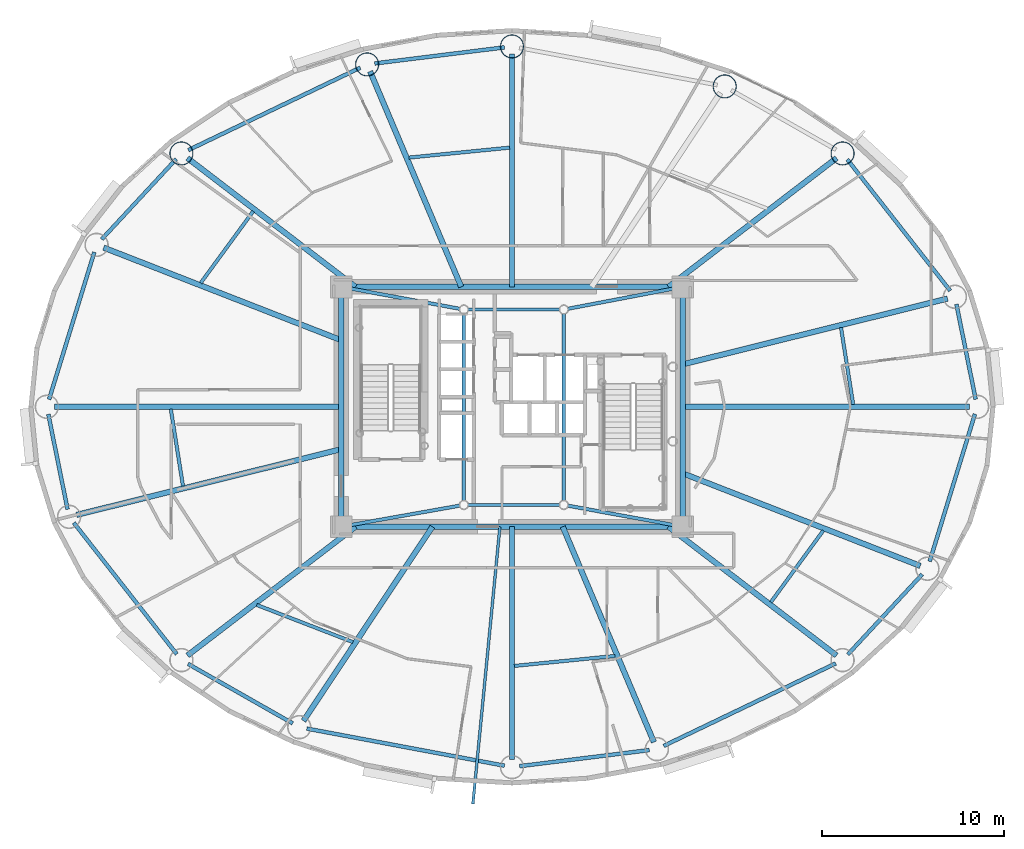
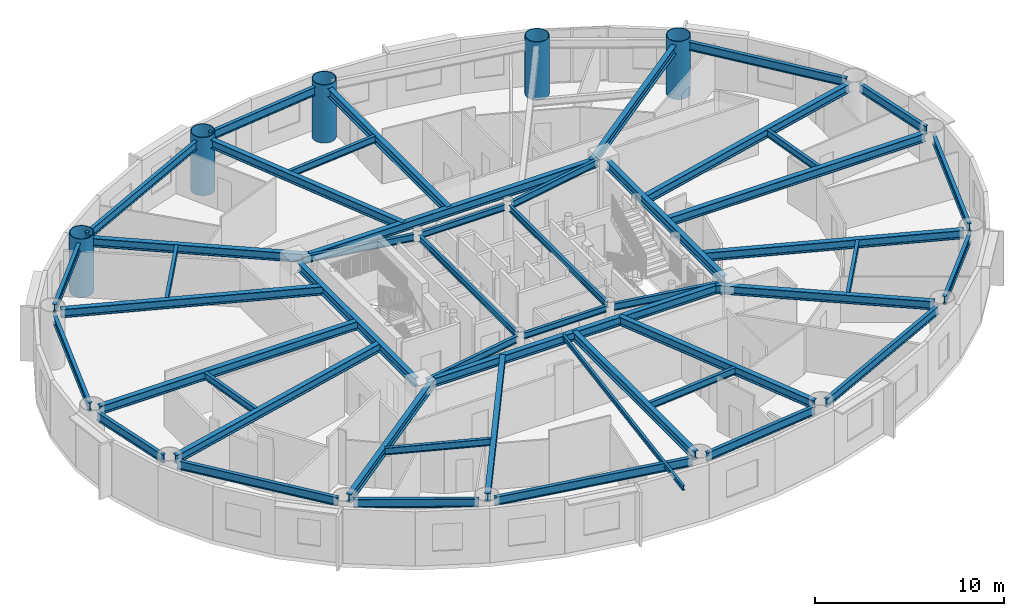
# One storey, part 3 of 17: 49 beams, 5 columns.
"""IFC4 building model written with IfcOpenShell, lengths in metres."""

from ifc_helpers import new_model, si_unit, direction, frame, origin, origin_2d, place, context, subcontext, project, spatial, hollow_circle, i_section, extrude, material, material_profile, profile_set, type_object, element, save


model = new_model("IFC4")

# Units and contexts
model_context = context("Model", 3, precision=1e-05, world=origin(), true_north=direction((0.0, 1.0)))
body_context = subcontext(model_context, "Body", "Model", "MODEL_VIEW")
ifc_project = project(units=[si_unit("LENGTHUNIT", "METRE"), si_unit("AREAUNIT", "SQUARE_METRE"), si_unit("VOLUMEUNIT", "CUBIC_METRE"), si_unit("PLANEANGLEUNIT", "RADIAN"), si_unit("MASSUNIT", "GRAM", prefix="KILO")], contexts=[model_context])

# Site, building, storey
site_placement = place(None, origin())
site = spatial("IfcSite", under=ifc_project, at=site_placement, CompositionType="ELEMENT")
building_placement = place(site_placement, origin())
building = spatial("IfcBuilding", under=site, at=building_placement, Name="Linh Dai School and Residence Tower", CompositionType="ELEMENT")
storey_placement = place(building_placement, frame((0.0, 0.0, 197.39990234375)))
storey = spatial("IfcBuildingStorey", under=building, at=storey_placement, Name="L48", CompositionType="ELEMENT", Elevation=197.39990234375)

# Columns
ifc_material = material(Name="Structural Steel S355JR", Category="steel")
ifc_material_profile_1 = material_profile(ifc_material, hollow_circle(Radius=0.64990234375, WallThickness=0.0400390625, at=origin_2d()), Name="CHS 1300x40")
ifc_profile_set_1 = profile_set([ifc_material_profile_1], Name="Structural Steel S355JR")
column_type = type_object("IfcColumnType", Name="COL-MC4", PredefinedType="COLUMN", material=ifc_profile_set_1)
for number, where, z_axis, x_axis, name in (
    (1, (54.1923828125, 40.941650390625, 0.0), (0.0, 0.0, 1.0), (1.0, 0.0, 0.0), "L48 Perimeter CFT Mega-Column MC03"),
    (2, (47.70556640625, 44.630859375, 0.0), (0.0, 0.0, 1.0), (1.0, 0.0, 0.0), "L48 Perimeter CFT Mega-Column MC04"),
    (3, (36.0, 46.830078125, 0.0), (0.0, 0.0, 1.0), (1.0, 0.0, 0.0), "L48 Perimeter CFT Mega-Column MC05"),
    (4, (28.026611328125, 45.84130859375, 0.0), (0.0, 0.0, 1.0), (1.0, 0.0, 0.0), "L48 Perimeter CFT Mega-Column MC06"),
    (5, (17.8076171875, 40.941650390625, 0.0), (0.0, 0.0, 1.0), (1.0, 0.0, 0.0), "L48 Perimeter CFT Mega-Column MC07"),
):
    element("IfcColumn", number, at=place(storey_placement, frame(where, z_axis=z_axis, x_axis=x_axis)), inside=storey, type_object=column_type, Name=name, PredefinedType="COLUMN", context=body_context, shape_type="SweptSolid", body=[
        extrude(hollow_circle(Radius=0.64990234375, WallThickness=0.0400390625, at=origin_2d()), origin(), (0.0, 0.0, 1.0), 3.75),
    ])

# Beams
ifc_material_profile_2 = material_profile(ifc_material, i_section(OverallWidth=0.14990234375, OverallDepth=0.300048828125, WebThickness=0.007080078125, FlangeThickness=0.0107421875, at=origin_2d()), Name="IPE 300")
ifc_profile_set_2 = profile_set([ifc_material_profile_2], Name="Structural Steel S355JR")
beam_type_1 = type_object("IfcBeamType", Name="BM-BALC-CANT", PredefinedType="BEAM", material=ifc_profile_set_2)
beam_1_placement = place(storey_placement, frame((35.335205078125, 20.39990234375, 3.35009765625), z_axis=(-0.096990319244, -0.995285324906, 0.0), x_axis=(0.995285324906, -0.096990319244, 0.0)))
element("IfcBeam", 6, at=beam_1_placement, inside=storey, type_object=beam_type_1, Name="L49 Balcony Continuous Cantilever Beam 30", PredefinedType="BEAM", context=body_context, shape_type="SweptSolid", body=[
    extrude(i_section(OverallWidth=0.14990234375, OverallDepth=0.300048828125, WebThickness=0.007080078125, FlangeThickness=0.0107421875, at=origin_2d()), origin(), (0.0, 0.0, 1.0), 15.33203125),
])
ifc_material_profile_3 = material_profile(ifc_material, i_section(OverallWidth=0.2099609375, OverallDepth=0.550048828125, WebThickness=0.010986328125, FlangeThickness=0.01708984375, FilletRadius=0.02392578125, at=origin_2d()), Name="IPE 550")
ifc_profile_set_3 = profile_set([ifc_material_profile_3], Name="Structural Steel S355JR")
beam_type_2 = type_object("IfcBeamType", Name="BM-RB55", PredefinedType="BEAM", material=ifc_profile_set_3)
beam_2_placement = place(storey_placement, frame((61.5166015625, 27.41162109375, 3.22509765625), z_axis=(-0.198420723955, 0.980116940117, 0.0), x_axis=(-0.980116940117, -0.198420723955, 0.0)))
element("IfcBeam", 7, at=beam_2_placement, inside=storey, type_object=beam_type_2, Name="L48 Perimeter Elliptical Ring Beam 01", PredefinedType="BEAM", context=body_context, shape_type="SweptSolid", body=[
    extrude(i_section(OverallWidth=0.2099609375, OverallDepth=0.550048828125, WebThickness=0.010986328125, FlangeThickness=0.01708984375, FilletRadius=0.02392578125, at=origin_2d()), origin(), (0.0, 0.0, 1.0), 5.33642578125),
])
beam_3_placement = place(storey_placement, frame((60.115478515625, 33.38427734375, 3.22509765625), z_axis=(-0.616852281883, 0.787078942887, 0.0), x_axis=(-0.787078942887, -0.616852281883, 0.0)))
element("IfcBeam", 8, at=beam_3_placement, inside=storey, type_object=beam_type_2, Name="L48 Perimeter Elliptical Ring Beam 02", PredefinedType="BEAM", context=body_context, shape_type="SweptSolid", body=[
    extrude(i_section(OverallWidth=0.2099609375, OverallDepth=0.550048828125, WebThickness=0.010986328125, FlangeThickness=0.01708984375, FilletRadius=0.02392578125, at=origin_2d()), origin(), (0.0, 0.0, 1.0), 9.181884765625),
])
beam_4_placement = place(storey_placement, frame((35.583251953125, 46.7783203125, 3.22509765625), z_axis=(-0.992400597975, -0.123048986741, 0.0), x_axis=(0.123048986741, -0.992400597975, 0.0)))
element("IfcBeam", 9, at=beam_4_placement, inside=storey, type_object=beam_type_2, Name="L48 Perimeter Elliptical Ring Beam 05", PredefinedType="BEAM", context=body_context, shape_type="SweptSolid", body=[
    extrude(i_section(OverallWidth=0.2099609375, OverallDepth=0.550048828125, WebThickness=0.010986328125, FlangeThickness=0.01708984375, FilletRadius=0.02392578125, at=origin_2d()), origin(), (0.0, 0.0, 1.0), 7.1943359375),
])
beam_5_placement = place(storey_placement, frame((27.64794921875, 45.659912109375, 3.22509765625), z_axis=(-0.901708141823, -0.432345263614, 0.0), x_axis=(0.432345263614, -0.901708141823, 0.0)))
element("IfcBeam", 10, at=beam_5_placement, inside=storey, type_object=beam_type_2, Name="L48 Perimeter Elliptical Ring Beam 06", PredefinedType="BEAM", context=body_context, shape_type="SweptSolid", body=[
    extrude(i_section(OverallWidth=0.2099609375, OverallDepth=0.550048828125, WebThickness=0.010986328125, FlangeThickness=0.01708984375, FilletRadius=0.02392578125, at=origin_2d()), origin(), (0.0, 0.0, 1.0), 10.4931640625),
])
beam_6_placement = place(storey_placement, frame((17.521728515625, 40.6337890625, 3.22509765625), z_axis=(-0.680378035197, -0.732861330145, 0.0), x_axis=(0.732861330145, -0.680378035197, 0.0)))
element("IfcBeam", 11, at=beam_6_placement, inside=storey, type_object=beam_type_2, Name="L48 Perimeter Elliptical Ring Beam 07", PredefinedType="BEAM", context=body_context, shape_type="SweptSolid", body=[
    extrude(i_section(OverallWidth=0.2099609375, OverallDepth=0.550048828125, WebThickness=0.010986328125, FlangeThickness=0.01708984375, FilletRadius=0.02392578125, at=origin_2d()), origin(), (0.0, 0.0, 1.0), 6.024169921875),
])
beam_7_placement = place(storey_placement, frame((13.01416015625, 35.509765625, 3.22509765625), z_axis=(-0.29363681283, -0.955917058196, 0.0), x_axis=(0.955917058196, -0.29363681283, 0.0)))
element("IfcBeam", 12, at=beam_7_placement, inside=storey, type_object=beam_type_2, Name="L48 Perimeter Elliptical Ring Beam 08", PredefinedType="BEAM", context=body_context, shape_type="SweptSolid", body=[
    extrude(i_section(OverallWidth=0.2099609375, OverallDepth=0.550048828125, WebThickness=0.010986328125, FlangeThickness=0.01708984375, FilletRadius=0.02392578125, at=origin_2d()), origin(), (0.0, 0.0, 1.0), 8.482421875),
])
beam_8_placement = place(storey_placement, frame((10.4833984375, 26.58837890625, 3.22509765625), z_axis=(0.198420723955, -0.980116940117, 0.0), x_axis=(0.980116940117, 0.198420723955, 0.0)))
element("IfcBeam", 13, at=beam_8_placement, inside=storey, type_object=beam_type_2, Name="L48 Perimeter Elliptical Ring Beam 09", PredefinedType="BEAM", context=body_context, shape_type="SweptSolid", body=[
    extrude(i_section(OverallWidth=0.2099609375, OverallDepth=0.550048828125, WebThickness=0.010986328125, FlangeThickness=0.01708984375, FilletRadius=0.02392578125, at=origin_2d()), origin(), (0.0, 0.0, 1.0), 5.33642578125),
])
beam_9_placement = place(storey_placement, frame((11.884521484375, 20.61572265625, 3.22509765625), z_axis=(0.616852281883, -0.787078942887, 0.0), x_axis=(0.787078942887, 0.616852281883, 0.0)))
element("IfcBeam", 14, at=beam_9_placement, inside=storey, type_object=beam_type_2, Name="L48 Perimeter Elliptical Ring Beam 10", PredefinedType="BEAM", context=body_context, shape_type="SweptSolid", body=[
    extrude(i_section(OverallWidth=0.2099609375, OverallDepth=0.550048828125, WebThickness=0.010986328125, FlangeThickness=0.01708984375, FilletRadius=0.02392578125, at=origin_2d()), origin(), (0.0, 0.0, 1.0), 9.181884765625),
])
beam_10_placement = place(storey_placement, frame((18.172607421875, 12.8505859375, 3.22509765625), z_axis=(0.869262164011, -0.49435138335, 0.0), x_axis=(0.49435138335, 0.869262164011, 0.0)))
element("IfcBeam", 15, at=beam_10_placement, inside=storey, type_object=beam_type_2, Name="L48 Perimeter Elliptical Ring Beam 11", PredefinedType="BEAM", context=body_context, shape_type="SweptSolid", body=[
    extrude(i_section(OverallWidth=0.2099609375, OverallDepth=0.550048828125, WebThickness=0.010986328125, FlangeThickness=0.01708984375, FilletRadius=0.02392578125, at=origin_2d()), origin(), (0.0, 0.0, 1.0), 6.62255859375),
])
beam_11_placement = place(storey_placement, frame((24.707275390625, 9.29150390625, 3.22509765625), z_axis=(0.98280721278, -0.184634727255, 0.0), x_axis=(0.184634727255, 0.98280721278, 0.0)))
element("IfcBeam", 16, at=beam_11_placement, inside=storey, type_object=beam_type_2, Name="L48 Perimeter Elliptical Ring Beam 12", PredefinedType="BEAM", context=body_context, shape_type="SweptSolid", body=[
    extrude(i_section(OverallWidth=0.2099609375, OverallDepth=0.550048828125, WebThickness=0.010986328125, FlangeThickness=0.01708984375, FilletRadius=0.02392578125, at=origin_2d()), origin(), (0.0, 0.0, 1.0), 11.0703125),
])
beam_12_placement = place(storey_placement, frame((36.416748046875, 7.2216796875, 3.22509765625), z_axis=(0.992400597975, 0.123048986741, 0.0), x_axis=(-0.123048986741, 0.992400597975, 0.0)))
element("IfcBeam", 17, at=beam_12_placement, inside=storey, type_object=beam_type_2, Name="L48 Perimeter Elliptical Ring Beam 13", PredefinedType="BEAM", context=body_context, shape_type="SweptSolid", body=[
    extrude(i_section(OverallWidth=0.2099609375, OverallDepth=0.550048828125, WebThickness=0.010986328125, FlangeThickness=0.01708984375, FilletRadius=0.02392578125, at=origin_2d()), origin(), (0.0, 0.0, 1.0), 7.1943359375),
])
beam_13_placement = place(storey_placement, frame((44.35205078125, 8.340087890625, 3.22509765625), z_axis=(0.901708141823, 0.432345263614, 0.0), x_axis=(-0.432345263614, 0.901708141823, 0.0)))
element("IfcBeam", 18, at=beam_13_placement, inside=storey, type_object=beam_type_2, Name="L48 Perimeter Elliptical Ring Beam 14", PredefinedType="BEAM", context=body_context, shape_type="SweptSolid", body=[
    extrude(i_section(OverallWidth=0.2099609375, OverallDepth=0.550048828125, WebThickness=0.010986328125, FlangeThickness=0.01708984375, FilletRadius=0.02392578125, at=origin_2d()), origin(), (0.0, 0.0, 1.0), 10.4931640625),
])
beam_14_placement = place(storey_placement, frame((54.478271484375, 13.3662109375, 3.22509765625), z_axis=(0.680378035197, 0.732861330145, 0.0), x_axis=(-0.732861330145, 0.680378035197, 0.0)))
element("IfcBeam", 19, at=beam_14_placement, inside=storey, type_object=beam_type_2, Name="L48 Perimeter Elliptical Ring Beam 15", PredefinedType="BEAM", context=body_context, shape_type="SweptSolid", body=[
    extrude(i_section(OverallWidth=0.2099609375, OverallDepth=0.550048828125, WebThickness=0.010986328125, FlangeThickness=0.01708984375, FilletRadius=0.02392578125, at=origin_2d()), origin(), (0.0, 0.0, 1.0), 6.024169921875),
])
beam_15_placement = place(storey_placement, frame((58.98583984375, 18.490234375, 3.22509765625), z_axis=(0.29363681283, 0.955917058196, 0.0), x_axis=(-0.955917058196, 0.29363681283, 0.0)))
element("IfcBeam", 20, at=beam_15_placement, inside=storey, type_object=beam_type_2, Name="L48 Perimeter Elliptical Ring Beam 16", PredefinedType="BEAM", context=body_context, shape_type="SweptSolid", body=[
    extrude(i_section(OverallWidth=0.2099609375, OverallDepth=0.550048828125, WebThickness=0.010986328125, FlangeThickness=0.01708984375, FilletRadius=0.02392578125, at=origin_2d()), origin(), (0.0, 0.0, 1.0), 8.482421875),
])
ifc_material_profile_4 = material_profile(ifc_material, i_section(OverallWidth=0.300048828125, OverallDepth=0.550048828125, WebThickness=0.014892578125, FlangeThickness=0.029052734375, FilletRadius=0.027099609375, at=origin_2d()), Name="HEB 550")
ifc_profile_set_4 = profile_set([ifc_material_profile_4], Name="Structural Steel S355JR")
beam_type_3 = type_object("IfcBeamType", Name="BM-RG55", PredefinedType="BEAM", material=ifc_profile_set_4)
beam_16_placement = place(storey_placement, frame((27.02001953125, 20.39990234375, 3.22509765625), z_axis=(1.0, 0.0, 0.0), x_axis=(0.0, 1.0, 0.0)))
element("IfcBeam", 21, at=beam_16_placement, inside=storey, type_object=beam_type_3, Name="L48 Core Perimeter Coupling Girder 1", PredefinedType="BEAM", context=body_context, shape_type="SweptSolid", body=[
    extrude(i_section(OverallWidth=0.300048828125, OverallDepth=0.550048828125, WebThickness=0.014892578125, FlangeThickness=0.029052734375, FilletRadius=0.027099609375, at=origin_2d()), origin(), (0.0, 0.0, 1.0), 17.9599609375),
])
beam_17_placement = place(storey_placement, frame((45.39990234375, 20.820068359375, 3.22509765625), z_axis=(0.0, 1.0, 0.0), x_axis=(-1.0, 0.0, 0.0)))
element("IfcBeam", 22, at=beam_17_placement, inside=storey, type_object=beam_type_3, Name="L48 Core Perimeter Coupling Girder 2", PredefinedType="BEAM", context=body_context, shape_type="SweptSolid", body=[
    extrude(i_section(OverallWidth=0.300048828125, OverallDepth=0.550048828125, WebThickness=0.014892578125, FlangeThickness=0.029052734375, FilletRadius=0.027099609375, at=origin_2d()), origin(), (0.0, 0.0, 1.0), 12.35986328125),
])
beam_18_placement = place(storey_placement, frame((44.97998046875, 33.60009765625, 3.22509765625), z_axis=(-1.0, 0.0, 0.0), x_axis=(0.0, -1.0, 0.0)))
element("IfcBeam", 23, at=beam_18_placement, inside=storey, type_object=beam_type_3, Name="L48 Core Perimeter Coupling Girder 3", PredefinedType="BEAM", context=body_context, shape_type="SweptSolid", body=[
    extrude(i_section(OverallWidth=0.300048828125, OverallDepth=0.550048828125, WebThickness=0.014892578125, FlangeThickness=0.029052734375, FilletRadius=0.027099609375, at=origin_2d()), origin(), (0.0, 0.0, 1.0), 17.9599609375),
])
beam_19_placement = place(storey_placement, frame((26.60009765625, 33.179931640625, 3.22509765625), z_axis=(0.0, -1.0, 0.0), x_axis=(1.0, 0.0, 0.0)))
element("IfcBeam", 24, at=beam_19_placement, inside=storey, type_object=beam_type_3, Name="L48 Core Perimeter Coupling Girder 4", PredefinedType="BEAM", context=body_context, shape_type="SweptSolid", body=[
    extrude(i_section(OverallWidth=0.300048828125, OverallDepth=0.550048828125, WebThickness=0.014892578125, FlangeThickness=0.029052734375, FilletRadius=0.027099609375, at=origin_2d()), origin(), (0.0, 0.0, 1.0), 12.35986328125),
])
beam_20_placement = place(storey_placement, frame((45.39990234375, 27.0, 3.22509765625), z_axis=(1.0, 0.0, 0.0), x_axis=(0.0, 1.0, 0.0)))
element("IfcBeam", 25, at=beam_20_placement, inside=storey, type_object=beam_type_3, Name="L48 Primary Radial Floor Girder 01", PredefinedType="BEAM", context=body_context, shape_type="SweptSolid", body=[
    extrude(i_section(OverallWidth=0.300048828125, OverallDepth=0.550048828125, WebThickness=0.014892578125, FlangeThickness=0.029052734375, FilletRadius=0.027099609375, at=origin_2d()), origin(), (0.0, 0.0, 1.0), 15.780029296875),
])
beam_21_placement = place(storey_placement, frame((45.39990234375, 29.33447265625, 3.22509765625), z_axis=(0.970514508209, 0.24104271272, 0.0), x_axis=(-0.24104271272, 0.970514508209, 0.0)))
element("IfcBeam", 26, at=beam_21_placement, inside=storey, type_object=beam_type_3, Name="L48 Primary Radial Floor Girder 02", PredefinedType="BEAM", context=body_context, shape_type="SweptSolid", body=[
    extrude(i_section(OverallWidth=0.300048828125, OverallDepth=0.550048828125, WebThickness=0.014892578125, FlangeThickness=0.029052734375, FilletRadius=0.027099609375, at=origin_2d()), origin(), (0.0, 0.0, 1.0), 15.009521484375),
])
beam_22_placement = place(storey_placement, frame((44.6123046875, 33.60009765625, 3.22509765625), z_axis=(0.793732831925, 0.608266546445, 0.0), x_axis=(-0.608266546445, 0.793732831925, 0.0)))
element("IfcBeam", 27, at=beam_22_placement, inside=storey, type_object=beam_type_3, Name="L48 Primary Radial Floor Girder 03", PredefinedType="BEAM", context=body_context, shape_type="SweptSolid", body=[
    extrude(i_section(OverallWidth=0.300048828125, OverallDepth=0.550048828125, WebThickness=0.014892578125, FlangeThickness=0.029052734375, FilletRadius=0.027099609375, at=origin_2d()), origin(), (0.0, 0.0, 1.0), 11.64990234375),
])
beam_23_placement = place(storey_placement, frame((36.0, 33.60009765625, 3.22509765625), z_axis=(0.0, 1.0, 0.0), x_axis=(-1.0, 0.0, 0.0)))
element("IfcBeam", 28, at=beam_23_placement, inside=storey, type_object=beam_type_3, Name="L48 Primary Radial Floor Girder 05", PredefinedType="BEAM", context=body_context, shape_type="SweptSolid", body=[
    extrude(i_section(OverallWidth=0.300048828125, OverallDepth=0.550048828125, WebThickness=0.014892578125, FlangeThickness=0.029052734375, FilletRadius=0.027099609375, at=origin_2d()), origin(), (0.0, 0.0, 1.0), 12.809814453125),
])
beam_24_placement = place(storey_placement, frame((33.20703125, 33.60009765625, 3.22509765625), z_axis=(-0.389721661447, 0.920932693849, 0.0), x_axis=(-0.920932693849, -0.389721661447, 0.0)))
element("IfcBeam", 29, at=beam_24_placement, inside=storey, type_object=beam_type_3, Name="L48 Primary Radial Floor Girder 06", PredefinedType="BEAM", context=body_context, shape_type="SweptSolid", body=[
    extrude(i_section(OverallWidth=0.300048828125, OverallDepth=0.550048828125, WebThickness=0.014892578125, FlangeThickness=0.029052734375, FilletRadius=0.027099609375, at=origin_2d()), origin(), (0.0, 0.0, 1.0), 12.872314453125),
])
beam_25_placement = place(storey_placement, frame((27.3876953125, 33.60009765625, 3.22509765625), z_axis=(-0.793732831925, 0.608266546445, 0.0), x_axis=(-0.608266546445, -0.793732831925, 0.0)))
element("IfcBeam", 30, at=beam_25_placement, inside=storey, type_object=beam_type_3, Name="L48 Primary Radial Floor Girder 07", PredefinedType="BEAM", context=body_context, shape_type="SweptSolid", body=[
    extrude(i_section(OverallWidth=0.300048828125, OverallDepth=0.550048828125, WebThickness=0.014892578125, FlangeThickness=0.029052734375, FilletRadius=0.027099609375, at=origin_2d()), origin(), (0.0, 0.0, 1.0), 11.64990234375),
])
beam_26_placement = place(storey_placement, frame((26.60009765625, 30.663818359375, 3.22509765625), z_axis=(-0.931722873254, 0.363170053081, 0.0), x_axis=(-0.363170053081, -0.931722873254, 0.0)))
element("IfcBeam", 31, at=beam_26_placement, inside=storey, type_object=beam_type_3, Name="L48 Primary Radial Floor Girder 08", PredefinedType="BEAM", context=body_context, shape_type="SweptSolid", body=[
    extrude(i_section(OverallWidth=0.300048828125, OverallDepth=0.550048828125, WebThickness=0.014892578125, FlangeThickness=0.029052734375, FilletRadius=0.027099609375, at=origin_2d()), origin(), (0.0, 0.0, 1.0), 14.029052734375),
])
beam_27_placement = place(storey_placement, frame((26.60009765625, 27.0, 3.22509765625), z_axis=(-1.0, 0.0, 0.0), x_axis=(0.0, -1.0, 0.0)))
element("IfcBeam", 32, at=beam_27_placement, inside=storey, type_object=beam_type_3, Name="L48 Primary Radial Floor Girder 09", PredefinedType="BEAM", context=body_context, shape_type="SweptSolid", body=[
    extrude(i_section(OverallWidth=0.300048828125, OverallDepth=0.550048828125, WebThickness=0.014892578125, FlangeThickness=0.029052734375, FilletRadius=0.027099609375, at=origin_2d()), origin(), (0.0, 0.0, 1.0), 15.780029296875),
])
beam_28_placement = place(storey_placement, frame((26.60009765625, 24.66552734375, 3.22509765625), z_axis=(-0.970514508209, -0.24104271272, 0.0), x_axis=(0.24104271272, -0.970514508209, 0.0)))
element("IfcBeam", 33, at=beam_28_placement, inside=storey, type_object=beam_type_3, Name="L48 Primary Radial Floor Girder 10", PredefinedType="BEAM", context=body_context, shape_type="SweptSolid", body=[
    extrude(i_section(OverallWidth=0.300048828125, OverallDepth=0.550048828125, WebThickness=0.014892578125, FlangeThickness=0.029052734375, FilletRadius=0.027099609375, at=origin_2d()), origin(), (0.0, 0.0, 1.0), 15.009521484375),
])
beam_29_placement = place(storey_placement, frame((27.3876953125, 20.39990234375, 3.22509765625), z_axis=(-0.793732831925, -0.608266546445, 0.0), x_axis=(0.608266546445, -0.793732831925, 0.0)))
element("IfcBeam", 34, at=beam_29_placement, inside=storey, type_object=beam_type_3, Name="L48 Primary Radial Floor Girder 11", PredefinedType="BEAM", context=body_context, shape_type="SweptSolid", body=[
    extrude(i_section(OverallWidth=0.300048828125, OverallDepth=0.550048828125, WebThickness=0.014892578125, FlangeThickness=0.029052734375, FilletRadius=0.027099609375, at=origin_2d()), origin(), (0.0, 0.0, 1.0), 11.64990234375),
])
beam_30_placement = place(storey_placement, frame((31.6181640625, 20.39990234375, 3.22509765625), z_axis=(-0.553117176317, -0.833103468522, 0.0), x_axis=(0.833103468522, -0.553117176317, 0.0)))
element("IfcBeam", 35, at=beam_30_placement, inside=storey, type_object=beam_type_3, Name="L48 Primary Radial Floor Girder 12", PredefinedType="BEAM", context=body_context, shape_type="SweptSolid", body=[
    extrude(i_section(OverallWidth=0.300048828125, OverallDepth=0.550048828125, WebThickness=0.014892578125, FlangeThickness=0.029052734375, FilletRadius=0.027099609375, at=origin_2d()), origin(), (0.0, 0.0, 1.0), 12.820556640625),
])
beam_31_placement = place(storey_placement, frame((36.0, 20.39990234375, 3.22509765625), z_axis=(0.0, -1.0, 0.0), x_axis=(1.0, 0.0, 0.0)))
element("IfcBeam", 36, at=beam_31_placement, inside=storey, type_object=beam_type_3, Name="L48 Primary Radial Floor Girder 13", PredefinedType="BEAM", context=body_context, shape_type="SweptSolid", body=[
    extrude(i_section(OverallWidth=0.300048828125, OverallDepth=0.550048828125, WebThickness=0.014892578125, FlangeThickness=0.029052734375, FilletRadius=0.027099609375, at=origin_2d()), origin(), (0.0, 0.0, 1.0), 12.809814453125),
])
beam_32_placement = place(storey_placement, frame((38.79296875, 20.39990234375, 3.22509765625), z_axis=(0.389721661447, -0.920932693849, 0.0), x_axis=(0.920932693849, 0.389721661447, 0.0)))
element("IfcBeam", 37, at=beam_32_placement, inside=storey, type_object=beam_type_3, Name="L48 Primary Radial Floor Girder 14", PredefinedType="BEAM", context=body_context, shape_type="SweptSolid", body=[
    extrude(i_section(OverallWidth=0.300048828125, OverallDepth=0.550048828125, WebThickness=0.014892578125, FlangeThickness=0.029052734375, FilletRadius=0.027099609375, at=origin_2d()), origin(), (0.0, 0.0, 1.0), 12.872314453125),
])
beam_33_placement = place(storey_placement, frame((44.6123046875, 20.39990234375, 3.22509765625), z_axis=(0.793732831925, -0.608266546445, 0.0), x_axis=(0.608266546445, 0.793732831925, 0.0)))
element("IfcBeam", 38, at=beam_33_placement, inside=storey, type_object=beam_type_3, Name="L48 Primary Radial Floor Girder 15", PredefinedType="BEAM", context=body_context, shape_type="SweptSolid", body=[
    extrude(i_section(OverallWidth=0.300048828125, OverallDepth=0.550048828125, WebThickness=0.014892578125, FlangeThickness=0.029052734375, FilletRadius=0.027099609375, at=origin_2d()), origin(), (0.0, 0.0, 1.0), 11.64990234375),
])
beam_34_placement = place(storey_placement, frame((45.39990234375, 23.336181640625, 3.22509765625), z_axis=(0.931722873254, -0.363170053081, 0.0), x_axis=(0.363170053081, 0.931722873254, 0.0)))
element("IfcBeam", 39, at=beam_34_placement, inside=storey, type_object=beam_type_3, Name="L48 Primary Radial Floor Girder 16", PredefinedType="BEAM", context=body_context, shape_type="SweptSolid", body=[
    extrude(i_section(OverallWidth=0.300048828125, OverallDepth=0.550048828125, WebThickness=0.014892578125, FlangeThickness=0.029052734375, FilletRadius=0.027099609375, at=origin_2d()), origin(), (0.0, 0.0, 1.0), 14.029052734375),
])
ifc_material_profile_5 = material_profile(ifc_material, i_section(OverallWidth=0.179931640625, OverallDepth=0.39990234375, WebThickness=0.008544921875, FlangeThickness=0.013427734375, FilletRadius=0.02099609375, at=origin_2d()), Name="IPE 400")
ifc_profile_set_5 = profile_set([ifc_material_profile_5], Name="Structural Steel S355JR")
beam_type_4 = type_object("IfcBeamType", Name="BM-SB40", PredefinedType="BEAM", material=ifc_profile_set_5)
beam_35_placement = place(storey_placement, frame((33.573974609375, 21.60009765625, 3.300048828125), z_axis=(1.0, 0.0, 0.0), x_axis=(0.0, 1.0, 0.0)))
element("IfcBeam", 40, at=beam_35_placement, inside=storey, type_object=beam_type_4, Name="L48 Core Mast Pier Tie Beam 1", PredefinedType="BEAM", context=body_context, shape_type="SweptSolid", body=[
    extrude(i_section(OverallWidth=0.179931640625, OverallDepth=0.39990234375, WebThickness=0.008544921875, FlangeThickness=0.013427734375, FilletRadius=0.02099609375, at=origin_2d()), origin(), (0.0, 0.0, 1.0), 5.052001953125),
])
beam_36_placement = place(storey_placement, frame((38.85009765625, 21.823974609375, 3.300048828125), z_axis=(0.0, 1.0, 0.0), x_axis=(-1.0, 0.0, 0.0)))
element("IfcBeam", 41, at=beam_36_placement, inside=storey, type_object=beam_type_4, Name="L48 Core Mast Pier Tie Beam 2", PredefinedType="BEAM", context=body_context, shape_type="SweptSolid", body=[
    extrude(i_section(OverallWidth=0.179931640625, OverallDepth=0.39990234375, WebThickness=0.008544921875, FlangeThickness=0.013427734375, FilletRadius=0.02099609375, at=origin_2d()), origin(), (0.0, 0.0, 1.0), 10.302001953125),
])
beam_37_placement = place(storey_placement, frame((38.6259765625, 32.35009765625, 3.300048828125), z_axis=(-1.0, 0.0, 0.0), x_axis=(0.0, -1.0, 0.0)))
element("IfcBeam", 42, at=beam_37_placement, inside=storey, type_object=beam_type_4, Name="L48 Core Mast Pier Tie Beam 3", PredefinedType="BEAM", context=body_context, shape_type="SweptSolid", body=[
    extrude(i_section(OverallWidth=0.179931640625, OverallDepth=0.39990234375, WebThickness=0.008544921875, FlangeThickness=0.013427734375, FilletRadius=0.02099609375, at=origin_2d()), origin(), (0.0, 0.0, 1.0), 5.052001953125),
])
beam_38_placement = place(storey_placement, frame((33.35009765625, 32.1259765625, 3.300048828125), z_axis=(0.0, -1.0, 0.0), x_axis=(1.0, 0.0, 0.0)))
element("IfcBeam", 43, at=beam_38_placement, inside=storey, type_object=beam_type_4, Name="L48 Core Mast Pier Tie Beam 4", PredefinedType="BEAM", context=body_context, shape_type="SweptSolid", body=[
    extrude(i_section(OverallWidth=0.179931640625, OverallDepth=0.39990234375, WebThickness=0.008544921875, FlangeThickness=0.013427734375, FilletRadius=0.02099609375, at=origin_2d()), origin(), (0.0, 0.0, 1.0), 10.302001953125),
])
ifc_material_profile_6 = material_profile(ifc_material, i_section(OverallWidth=0.18994140625, OverallDepth=0.449951171875, WebThickness=0.009521484375, FlangeThickness=0.0146484375, FilletRadius=0.02099609375, at=origin_2d()), Name="IPE 450")
ifc_profile_set_6 = profile_set([ifc_material_profile_6], Name="Structural Steel S355JR")
beam_type_5 = type_object("IfcBeamType", Name="BM-SB45", PredefinedType="BEAM", material=ifc_profile_set_6)
beam_39_placement = place(storey_placement, frame((27.013427734375, 20.4736328125, 3.275146484375), z_axis=(0.984565969371, 0.175013862185, 0.0), x_axis=(-0.175013862185, 0.984565969371, 0.0)))
element("IfcBeam", 44, at=beam_39_placement, inside=storey, type_object=beam_type_5, Name="L48 Core Corner-to-Mast Pier Beam 1", PredefinedType="BEAM", context=body_context, shape_type="SweptSolid", body=[
    extrude(i_section(OverallWidth=0.18994140625, OverallDepth=0.449951171875, WebThickness=0.009521484375, FlangeThickness=0.0146484375, FilletRadius=0.02099609375, at=origin_2d()), origin(), (0.0, 0.0, 1.0), 6.2119140625),
])
beam_40_placement = place(storey_placement, frame((44.98681640625, 20.4755859375, 3.275146484375), z_axis=(-0.983627428732, 0.180213987933, 0.0), x_axis=(-0.180213987933, -0.983627428732, 0.0)))
element("IfcBeam", 45, at=beam_40_placement, inside=storey, type_object=beam_type_5, Name="L48 Core Corner-to-Mast Pier Beam 2", PredefinedType="BEAM", context=body_context, shape_type="SweptSolid", body=[
    extrude(i_section(OverallWidth=0.18994140625, OverallDepth=0.449951171875, WebThickness=0.009521484375, FlangeThickness=0.0146484375, FilletRadius=0.02099609375, at=origin_2d()), origin(), (0.0, 0.0, 1.0), 6.014892578125),
])
beam_41_placement = place(storey_placement, frame((44.987548828125, 33.521240234375, 3.275146484375), z_axis=(-0.982277147686, -0.187434268836, 0.0), x_axis=(0.187434268836, -0.982277147686, 0.0)))
element("IfcBeam", 46, at=beam_41_placement, inside=storey, type_object=beam_type_5, Name="L48 Core Corner-to-Mast Pier Beam 3", PredefinedType="BEAM", context=body_context, shape_type="SweptSolid", body=[
    extrude(i_section(OverallWidth=0.18994140625, OverallDepth=0.449951171875, WebThickness=0.009521484375, FlangeThickness=0.0146484375, FilletRadius=0.02099609375, at=origin_2d()), origin(), (0.0, 0.0, 1.0), 6.024169921875),
])
beam_42_placement = place(storey_placement, frame((27.012939453125, 33.5234375, 3.275146484375), z_axis=(0.983286429055, -0.182065368579, 0.0), x_axis=(0.182065368579, 0.983286429055, 0.0)))
element("IfcBeam", 47, at=beam_42_placement, inside=storey, type_object=beam_type_5, Name="L48 Core Corner-to-Mast Pier Beam 4", PredefinedType="BEAM", context=body_context, shape_type="SweptSolid", body=[
    extrude(i_section(OverallWidth=0.18994140625, OverallDepth=0.449951171875, WebThickness=0.009521484375, FlangeThickness=0.0146484375, FilletRadius=0.02099609375, at=origin_2d()), origin(), (0.0, 0.0, 1.0), 6.220703125),
])
beam_43_placement = place(storey_placement, frame((54.775634765625, 27.12841796875, 3.275146484375), z_axis=(-0.156304675371, 0.987708888518, 0.0), x_axis=(-0.987708888518, -0.156304675371, 0.0)))
element("IfcBeam", 48, at=beam_43_placement, inside=storey, type_object=beam_type_5, Name="L48 Secondary Circumferential Floor Beam 01", PredefinedType="BEAM", context=body_context, shape_type="SweptSolid", body=[
    extrude(i_section(OverallWidth=0.18994140625, OverallDepth=0.449951171875, WebThickness=0.009521484375, FlangeThickness=0.0146484375, FilletRadius=0.02099609375, at=origin_2d()), origin(), (0.0, 0.0, 1.0), 4.28759765625),
])
beam_44_placement = place(storey_placement, frame((35.87060546875, 41.260498046875, 3.275146484375), z_axis=(-0.995148179174, -0.098387506761, 0.0), x_axis=(0.098387506761, -0.995148179174, 0.0)))
element("IfcBeam", 49, at=beam_44_placement, inside=storey, type_object=beam_type_5, Name="L48 Secondary Circumferential Floor Beam 03", PredefinedType="BEAM", context=body_context, shape_type="SweptSolid", body=[
    extrude(i_section(OverallWidth=0.18994140625, OverallDepth=0.449951171875, WebThickness=0.009521484375, FlangeThickness=0.0146484375, FilletRadius=0.02099609375, at=origin_2d()), origin(), (0.0, 0.0, 1.0), 5.56591796875),
])
beam_45_placement = place(storey_placement, frame((21.75439453125, 37.75341796875, 3.275146484375), z_axis=(-0.590804505267, -0.806814747359, 0.0), x_axis=(0.806814747359, -0.590804505267, 0.0)))
element("IfcBeam", 50, at=beam_45_placement, inside=storey, type_object=beam_type_5, Name="L48 Secondary Circumferential Floor Beam 04", PredefinedType="BEAM", context=body_context, shape_type="SweptSolid", body=[
    extrude(i_section(OverallWidth=0.18994140625, OverallDepth=0.449951171875, WebThickness=0.009521484375, FlangeThickness=0.0146484375, FilletRadius=0.02099609375, at=origin_2d()), origin(), (0.0, 0.0, 1.0), 4.884765625),
])
beam_46_placement = place(storey_placement, frame((17.224365234375, 26.87158203125, 3.275146484375), z_axis=(0.156304675371, -0.987708888518, 0.0), x_axis=(0.987708888518, 0.156304675371, 0.0)))
element("IfcBeam", 51, at=beam_46_placement, inside=storey, type_object=beam_type_5, Name="L48 Secondary Circumferential Floor Beam 05", PredefinedType="BEAM", context=body_context, shape_type="SweptSolid", body=[
    extrude(i_section(OverallWidth=0.18994140625, OverallDepth=0.449951171875, WebThickness=0.009521484375, FlangeThickness=0.0146484375, FilletRadius=0.02099609375, at=origin_2d()), origin(), (0.0, 0.0, 1.0), 4.28759765625),
])
beam_47_placement = place(storey_placement, frame((21.952392578125, 16.094970703125, 3.275146484375), z_axis=(0.932814887644, -0.360355914881, 0.0), x_axis=(0.360355914881, 0.932814887644, 0.0)))
element("IfcBeam", 52, at=beam_47_placement, inside=storey, type_object=beam_type_5, Name="L48 Secondary Circumferential Floor Beam 06", PredefinedType="BEAM", context=body_context, shape_type="SweptSolid", body=[
    extrude(i_section(OverallWidth=0.18994140625, OverallDepth=0.449951171875, WebThickness=0.009521484375, FlangeThickness=0.0146484375, FilletRadius=0.02099609375, at=origin_2d()), origin(), (0.0, 0.0, 1.0), 5.67822265625),
])
beam_48_placement = place(storey_placement, frame((36.12939453125, 12.739501953125, 3.275146484375), z_axis=(0.995148179174, 0.098387506761, 0.0), x_axis=(-0.098387506761, 0.995148179174, 0.0)))
element("IfcBeam", 53, at=beam_48_placement, inside=storey, type_object=beam_type_5, Name="L48 Secondary Circumferential Floor Beam 07", PredefinedType="BEAM", context=body_context, shape_type="SweptSolid", body=[
    extrude(i_section(OverallWidth=0.18994140625, OverallDepth=0.449951171875, WebThickness=0.009521484375, FlangeThickness=0.0146484375, FilletRadius=0.02099609375, at=origin_2d()), origin(), (0.0, 0.0, 1.0), 5.56591796875),
])
beam_49_placement = place(storey_placement, frame((50.24560546875, 16.24658203125, 3.275146484375), z_axis=(0.590804505267, 0.806814747359, 0.0), x_axis=(-0.806814747359, 0.590804505267, 0.0)))
element("IfcBeam", 54, at=beam_49_placement, inside=storey, type_object=beam_type_5, Name="L48 Secondary Circumferential Floor Beam 08", PredefinedType="BEAM", context=body_context, shape_type="SweptSolid", body=[
    extrude(i_section(OverallWidth=0.18994140625, OverallDepth=0.449951171875, WebThickness=0.009521484375, FlangeThickness=0.0146484375, FilletRadius=0.02099609375, at=origin_2d()), origin(), (0.0, 0.0, 1.0), 4.884765625),
])

save(model, "model.ifc")
